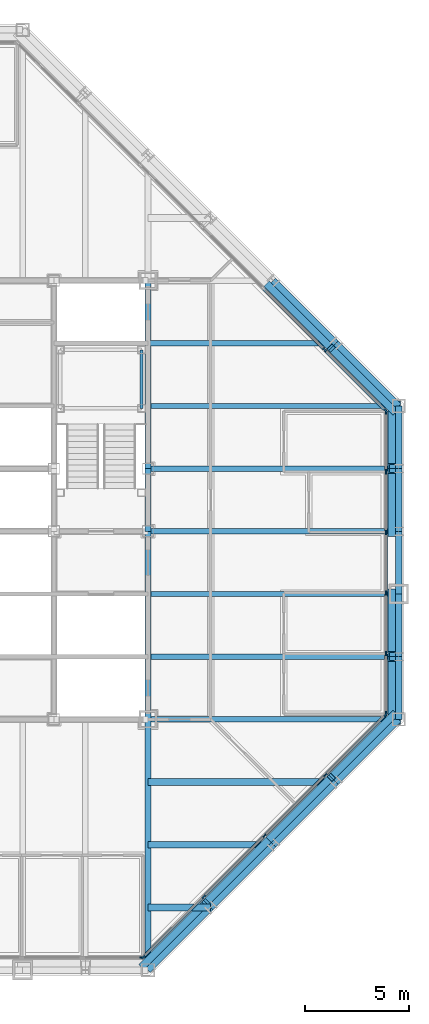
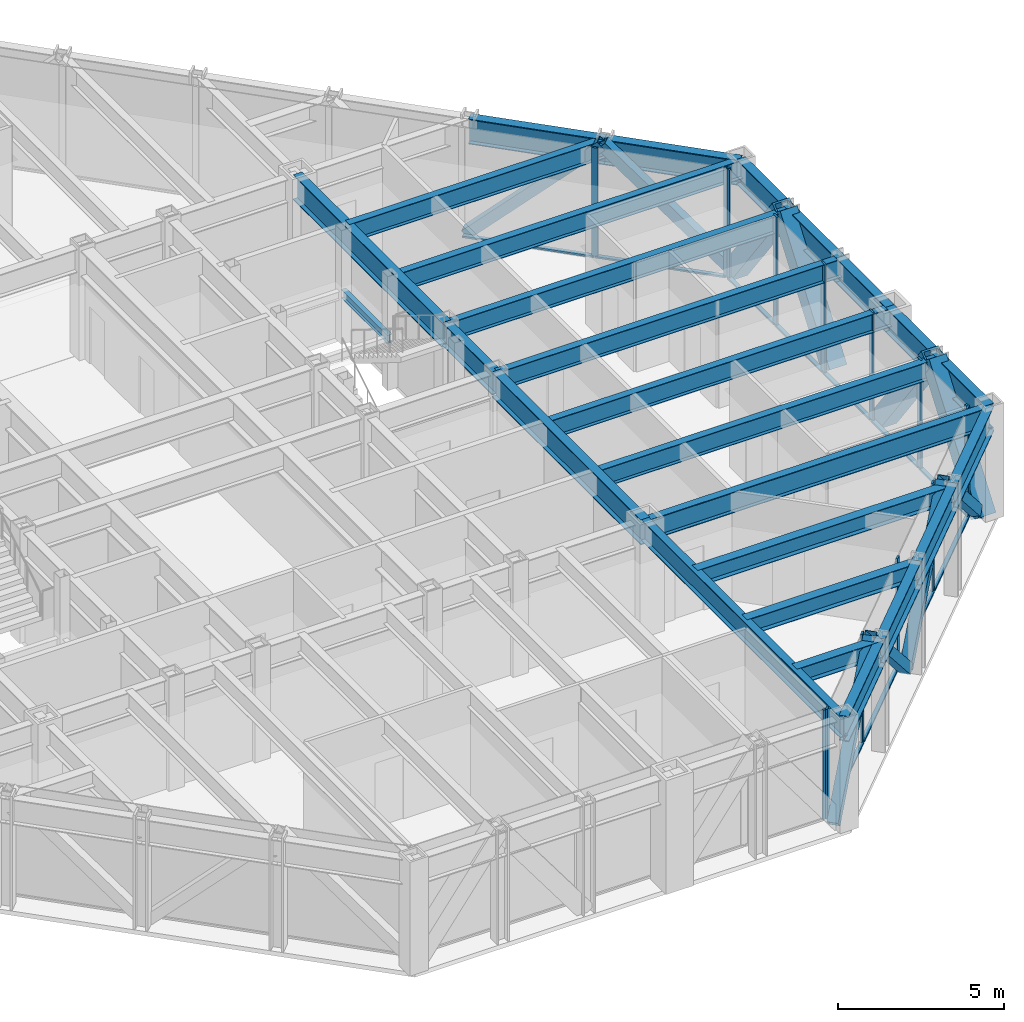
# One storey, part 7 of 16: 35 members, 26 beams, 4 elements without a shape of their own.
"""IFC4 building model written with IfcOpenShell, lengths in metres."""

from ifc_helpers import new_model, si_unit, direction, frame, origin, origin_2d, place, context, subcontext, project, spatial, rectangle, hollow_rectangle, i_section, extrude, material, layer, layer_set, material_profile, profile_set, type_object, element, aggregate, save


model = new_model("IFC4")

# Units and contexts
model_context = context("Model", 3, precision=1e-05, world=origin(), true_north=direction((0.0, 1.0)))
body_context = subcontext(model_context, "Body", "Model", "MODEL_VIEW")
ifc_project = project(units=[si_unit("LENGTHUNIT", "METRE"), si_unit("AREAUNIT", "SQUARE_METRE"), si_unit("VOLUMEUNIT", "CUBIC_METRE"), si_unit("PLANEANGLEUNIT", "RADIAN"), si_unit("MASSUNIT", "GRAM", prefix="KILO")], contexts=[model_context])

# Site, building, storey
site_placement = place(None, origin())
site = spatial("IfcSite", under=ifc_project, at=site_placement, CompositionType="ELEMENT")
building_placement = place(site_placement, origin())
building = spatial("IfcBuilding", under=site, at=building_placement, Name="Chuquiago Exchange Tower", CompositionType="ELEMENT")
storey_placement = place(building_placement, frame((0.0, 0.0, 222.300048828125)))
storey = spatial("IfcBuildingStorey", under=building, at=storey_placement, Name="L49", CompositionType="ELEMENT", Elevation=222.300048828125)

# Beams
ifc_material_1 = material(Name="Steel ASTM A992", Category="steel")
ifc_material_profile_1 = material_profile(ifc_material_1, i_section(OverallWidth=0.25390625, OverallDepth=0.683349609375, WebThickness=0.012451171875, FlangeThickness=0.018798828125, at=origin_2d()), Name="W27X94")
ifc_profile_set_1 = profile_set([ifc_material_profile_1], Name="Steel ASTM A992")
beam_type_1 = type_object("IfcBeamType", Name="B1 W27X94", PredefinedType="BEAM", material=ifc_profile_set_1)
for number, where, z_axis, x_axis, name in (
    (1, (33.0, 15.0, 3.6982421875), (1.0, 0.0, 0.0), (0.0, 1.0, 0.0), "FB-L50-infill-33_15-45_15-0"),
    (2, (33.0, 18.0, 3.6982421875), (1.0, 0.0, 0.0), (0.0, 1.0, 0.0), "FB-L50-infill-33_18-45_18-0"),
    (3, (33.0, 21.0, 3.6982421875), (1.0, 0.0, 0.0), (0.0, 1.0, 0.0), "FB-L50-infill-33_21-45_21-0"),
    (4, (33.0, 24.0, 3.6982421875), (1.0, 0.0, 0.0), (0.0, 1.0, 0.0), "FB-L50-infill-33_24-45_24-0"),
    (5, (33.0, 27.0, 3.6982421875), (1.0, 0.0, 0.0), (0.0, 1.0, 0.0), "FB-L50-infill-33_27-45_27-0"),
):
    element("IfcBeam", number, at=place(storey_placement, frame(where, z_axis=z_axis, x_axis=x_axis)), inside=storey, type_object=beam_type_1, Name=name, PredefinedType="BEAM", context=body_context, shape_type="SweptSolid", body=[
        extrude(i_section(OverallWidth=0.25390625, OverallDepth=0.683349609375, WebThickness=0.012451171875, FlangeThickness=0.018798828125, at=origin_2d()), origin(), (0.0, 0.0, 1.0), 12.0),
    ])
beam_1_placement = place(storey_placement, frame((33.0, 30.0, 3.6982421875), z_axis=(1.0, 0.0, 0.0), x_axis=(0.0, 1.0, 0.0)))
element("IfcBeam", 6, at=beam_1_placement, inside=storey, type_object=beam_type_1, Name="FB-L50-infill-33_30-42_30-0", PredefinedType="BEAM", context=body_context, shape_type="SweptSolid", body=[
    extrude(i_section(OverallWidth=0.25390625, OverallDepth=0.683349609375, WebThickness=0.012451171875, FlangeThickness=0.018798828125, at=origin_2d()), origin(), (0.0, 0.0, 1.0), 9.0),
])
ifc_material_2 = material(Name="Steel ASTM A992", Category="steel")
ifc_material_profile_2 = material_profile(ifc_material_2, i_section(OverallWidth=0.307373046875, OverallDepth=0.927001953125, WebThickness=0.01953125, FlangeThickness=0.031982421875, at=origin_2d()), Name="W36X194")
ifc_profile_set_2 = profile_set([ifc_material_profile_2], Name="Steel ASTM A992")
beam_type_2 = type_object("IfcBeamType", Name="B10 W36X194", PredefinedType="BEAM", material=ifc_profile_set_2)
for number, where, z_axis, x_axis, name in (
    (7, (33.0, 12.0, 3.576416015625), (0.0, 1.0, 0.0), (-1.0, 0.0, 0.0), "CB-L50-33_12-33_21"),
    (8, (33.0, 24.0, 3.576416015625), (0.0, 1.0, 0.0), (-1.0, 0.0, 0.0), "CB-L50-33_24-33_33"),
):
    element("IfcBeam", number, at=place(storey_placement, frame(where, z_axis=z_axis, x_axis=x_axis)), inside=storey, type_object=beam_type_2, Name=name, PredefinedType="BEAM", context=body_context, shape_type="SweptSolid", body=[
        extrude(i_section(OverallWidth=0.307373046875, OverallDepth=0.927001953125, WebThickness=0.01953125, FlangeThickness=0.031982421875, at=origin_2d()), origin(), (0.0, 0.0, 1.0), 9.0),
    ])
ifc_material_3 = material(Name="Steel ASTM A992", Category="steel")
ifc_material_profile_3 = material_profile(ifc_material_3, i_section(OverallWidth=0.3251953125, OverallDepth=0.612060546875, WebThickness=0.0126953125, FlangeThickness=0.01904296875, at=origin_2d()), Name="W24X104")
ifc_profile_set_3 = profile_set([ifc_material_profile_3], Name="Steel ASTM A992")
beam_type_3 = type_object("IfcBeamType", Name="B2 W24X104", PredefinedType="BEAM", material=ifc_profile_set_3)
beam_2_placement = place(storey_placement, frame((33.0, 3.0, 3.73388671875), z_axis=(1.0, 0.0, 0.0), x_axis=(0.0, 1.0, 0.0)))
element("IfcBeam", 9, at=beam_2_placement, inside=storey, type_object=beam_type_3, Name="FB-L50-corner-33_3-36_3-0", PredefinedType="BEAM", context=body_context, shape_type="SweptSolid", body=[
    extrude(i_section(OverallWidth=0.3251953125, OverallDepth=0.612060546875, WebThickness=0.0126953125, FlangeThickness=0.01904296875, at=origin_2d()), origin(), (0.0, 0.0, 1.0), 3.0),
])
beam_3_placement = place(storey_placement, frame((33.0, 6.0, 3.73388671875), z_axis=(1.0, 0.0, 0.0), x_axis=(0.0, 1.0, 0.0)))
element("IfcBeam", 10, at=beam_3_placement, inside=storey, type_object=beam_type_3, Name="FB-L50-corner-33_6-39_6-0", PredefinedType="BEAM", context=body_context, shape_type="SweptSolid", body=[
    extrude(i_section(OverallWidth=0.3251953125, OverallDepth=0.612060546875, WebThickness=0.0126953125, FlangeThickness=0.01904296875, at=origin_2d()), origin(), (0.0, 0.0, 1.0), 6.0),
])
beam_4_placement = place(storey_placement, frame((33.0, 9.0, 3.73388671875), z_axis=(1.0, 0.0, 0.0), x_axis=(0.0, 1.0, 0.0)))
element("IfcBeam", 11, at=beam_4_placement, inside=storey, type_object=beam_type_3, Name="FB-L50-corner-33_9-42_9-0", PredefinedType="BEAM", context=body_context, shape_type="SweptSolid", body=[
    extrude(i_section(OverallWidth=0.3251953125, OverallDepth=0.612060546875, WebThickness=0.0126953125, FlangeThickness=0.01904296875, at=origin_2d()), origin(), (0.0, 0.0, 1.0), 9.0),
])
ifc_material_4 = material(Name="Steel ASTM A992", Category="steel")
ifc_material_profile_4 = material_profile(ifc_material_4, i_section(OverallWidth=0.2919921875, OverallDepth=0.8583984375, WebThickness=0.01708984375, FlangeThickness=0.031005859375, at=origin_2d()), Name="W33X169")
ifc_profile_set_4 = profile_set([ifc_material_profile_4], Name="Steel ASTM A992")
beam_type_4 = type_object("IfcBeamType", Name="B3 W33X169", PredefinedType="BEAM", material=ifc_profile_set_4)
beam_5_placement = place(storey_placement, frame((33.0, 21.0, 3.610595703125), z_axis=(0.0, 1.0, 0.0), x_axis=(-1.0, 0.0, 0.0)))
element("IfcBeam", 12, at=beam_5_placement, inside=storey, type_object=beam_type_4, Name="CB-L50-33_21-33_24", PredefinedType="BEAM", context=body_context, shape_type="SweptSolid", body=[
    extrude(i_section(OverallWidth=0.2919921875, OverallDepth=0.8583984375, WebThickness=0.01708984375, FlangeThickness=0.031005859375, at=origin_2d()), origin(), (0.0, 0.0, 1.0), 3.0),
])

# Curtain wall, member
ifc_material_5 = material(Name="Aluminium curtain wall system", Category="aluminium")
ifc_layer_1 = layer(ifc_material_5, 0.22509765625)
ifc_layer_set_1 = layer_set([ifc_layer_1], Name="CW2 office curtain wall")
curtain_wall_type_1 = type_object("IfcCurtainWallType", Name="CW2 office curtain wall", PredefinedType="NOTDEFINED", material=ifc_layer_set_1)
curtain_wall_1_placement = place(storey_placement, origin())
curtain_wall_1 = element("IfcCurtainWall", 13, at=curtain_wall_1_placement, inside=storey, type_object=curtain_wall_type_1, Name="CW2 curtain wall L49", PredefinedType="NOTDEFINED")
ifc_material_6 = material(Name="Aluminium mullion, pale anodised", Category="aluminium")
ifc_material_profile_5 = material_profile(ifc_material_6, rectangle(XDim=0.06494140625, YDim=0.22509765625, at=origin_2d()), Name="AL 65x225")
ifc_profile_set_5 = profile_set([ifc_material_profile_5], Name="Aluminium mullion, pale anodised")
member_type_1 = type_object("IfcMemberType", Name="CW2-M mullion 65x225", PredefinedType="MULLION", material=ifc_profile_set_5)
member_1_placement = place(storey_placement, frame((32.718994140625, 0.60009765625, 0.0), z_axis=(0.0, 0.0, 1.0), x_axis=(0.0, 1.0, 0.0)))
member_1 = element("IfcMember", 14, at=member_1_placement, type_object=member_type_1, Name="CW2 mullion 6", PredefinedType="MULLION", context=body_context, shape_type="SweptSolid", body=[
    extrude(rectangle(XDim=0.06494140625, YDim=0.22509765625, at=origin_2d()), origin(), (0.0, 0.0, 1.0), 4.0400390625),
])
aggregate(curtain_wall_1, [member_1])

# Curtain wall, members
curtain_wall_2_placement = place(storey_placement, origin())
curtain_wall_2 = element("IfcCurtainWall", 15, at=curtain_wall_2_placement, inside=storey, type_object=curtain_wall_type_1, Name="CW2 curtain wall L49", PredefinedType="NOTDEFINED")
member_2_placement = place(storey_placement, frame((44.39990234375, 12.281005859375, 0.0), z_axis=(0.0, 0.0, 1.0), x_axis=(-1.0, 0.0, 0.0)))
member_2 = element("IfcMember", 16, at=member_2_placement, type_object=member_type_1, Name="CW2 mullion 1", PredefinedType="MULLION", context=body_context, shape_type="SweptSolid", body=[
    extrude(rectangle(XDim=0.06494140625, YDim=0.22509765625, at=origin_2d()), origin(), (0.0, 0.0, 1.0), 4.0400390625),
])
member_3_placement = place(storey_placement, frame((44.39990234375, 15.149169921875, 0.0), z_axis=(0.0, 0.0, 1.0), x_axis=(-1.0, 0.0, 0.0)))
member_3 = element("IfcMember", 17, at=member_3_placement, type_object=member_type_1, Name="CW2 mullion 2", PredefinedType="MULLION", context=body_context, shape_type="SweptSolid", body=[
    extrude(rectangle(XDim=0.06494140625, YDim=0.22509765625, at=origin_2d()), origin(), (0.0, 0.0, 1.0), 4.0400390625),
])
member_4_placement = place(storey_placement, frame((44.39990234375, 18.0498046875, 0.0), z_axis=(0.0, 0.0, 1.0), x_axis=(-1.0, 0.0, 0.0)))
member_4 = element("IfcMember", 18, at=member_4_placement, type_object=member_type_1, Name="CW2 mullion 3", PredefinedType="MULLION", context=body_context, shape_type="SweptSolid", body=[
    extrude(rectangle(XDim=0.06494140625, YDim=0.22509765625, at=origin_2d()), origin(), (0.0, 0.0, 1.0), 4.0400390625),
])
member_5_placement = place(storey_placement, frame((44.39990234375, 20.9501953125, 0.0), z_axis=(0.0, 0.0, 1.0), x_axis=(-1.0, 0.0, 0.0)))
member_5 = element("IfcMember", 19, at=member_5_placement, type_object=member_type_1, Name="CW2 mullion 4", PredefinedType="MULLION", context=body_context, shape_type="SweptSolid", body=[
    extrude(rectangle(XDim=0.06494140625, YDim=0.22509765625, at=origin_2d()), origin(), (0.0, 0.0, 1.0), 4.0400390625),
])
member_6_placement = place(storey_placement, frame((44.39990234375, 23.850830078125, 0.0), z_axis=(0.0, 0.0, 1.0), x_axis=(-1.0, 0.0, 0.0)))
member_6 = element("IfcMember", 20, at=member_6_placement, type_object=member_type_1, Name="CW2 mullion 5", PredefinedType="MULLION", context=body_context, shape_type="SweptSolid", body=[
    extrude(rectangle(XDim=0.06494140625, YDim=0.22509765625, at=origin_2d()), origin(), (0.0, 0.0, 1.0), 4.0400390625),
])
member_7_placement = place(storey_placement, frame((44.39990234375, 26.718994140625, 0.0), z_axis=(0.0, 0.0, 1.0), x_axis=(-1.0, 0.0, 0.0)))
member_7 = element("IfcMember", 21, at=member_7_placement, type_object=member_type_1, Name="CW2 mullion 6", PredefinedType="MULLION", context=body_context, shape_type="SweptSolid", body=[
    extrude(rectangle(XDim=0.06494140625, YDim=0.22509765625, at=origin_2d()), origin(), (0.0, 0.0, 1.0), 4.0400390625),
])
ifc_material_7 = material(Name="Aluminium transom, pale anodised", Category="aluminium")
ifc_material_profile_6 = material_profile(ifc_material_7, rectangle(XDim=0.139892578125, YDim=0.06494140625, at=origin_2d()), Name="AL 140x65")
ifc_profile_set_6 = profile_set([ifc_material_profile_6], Name="Aluminium transom, pale anodised")
member_type_2 = type_object("IfcMemberType", Name="CW2-T transom 65x140", PredefinedType="MULLION", material=ifc_profile_set_6)
member_8_placement = place(storey_placement, frame((44.39990234375, 12.3134765625, 0.032470703125), z_axis=(0.0, 1.0, 0.0), x_axis=(-1.0, 0.0, 0.0)))
member_8 = element("IfcMember", 22, at=member_8_placement, type_object=member_type_2, Name="CW2 transom 1.1", PredefinedType="MULLION", context=body_context, shape_type="SweptSolid", body=[
    extrude(rectangle(XDim=0.139892578125, YDim=0.06494140625, at=origin_2d()), origin(), (0.0, 0.0, 1.0), 2.80322265625),
])
member_9_placement = place(storey_placement, frame((44.39990234375, 15.181640625, 0.032470703125), z_axis=(0.0, 1.0, 0.0), x_axis=(-1.0, 0.0, 0.0)))
member_9 = element("IfcMember", 23, at=member_9_placement, type_object=member_type_2, Name="CW2 transom 2.1", PredefinedType="MULLION", context=body_context, shape_type="SweptSolid", body=[
    extrude(rectangle(XDim=0.139892578125, YDim=0.06494140625, at=origin_2d()), origin(), (0.0, 0.0, 1.0), 2.83544921875),
])
member_10_placement = place(storey_placement, frame((44.39990234375, 18.082275390625, 0.032470703125), z_axis=(0.0, 1.0, 0.0), x_axis=(-1.0, 0.0, 0.0)))
member_10 = element("IfcMember", 24, at=member_10_placement, type_object=member_type_2, Name="CW2 transom 3.1", PredefinedType="MULLION", context=body_context, shape_type="SweptSolid", body=[
    extrude(rectangle(XDim=0.139892578125, YDim=0.06494140625, at=origin_2d()), origin(), (0.0, 0.0, 1.0), 2.83544921875),
])
member_11_placement = place(storey_placement, frame((44.39990234375, 20.98291015625, 0.032470703125), z_axis=(0.0, 1.0, 0.0), x_axis=(-1.0, 0.0, 0.0)))
member_11 = element("IfcMember", 25, at=member_11_placement, type_object=member_type_2, Name="CW2 transom 4.1", PredefinedType="MULLION", context=body_context, shape_type="SweptSolid", body=[
    extrude(rectangle(XDim=0.139892578125, YDim=0.06494140625, at=origin_2d()), origin(), (0.0, 0.0, 1.0), 2.83544921875),
])
member_12_placement = place(storey_placement, frame((44.39990234375, 23.88330078125, 0.032470703125), z_axis=(0.0, 1.0, 0.0), x_axis=(-1.0, 0.0, 0.0)))
member_12 = element("IfcMember", 26, at=member_12_placement, type_object=member_type_2, Name="CW2 transom 5.1", PredefinedType="MULLION", context=body_context, shape_type="SweptSolid", body=[
    extrude(rectangle(XDim=0.139892578125, YDim=0.06494140625, at=origin_2d()), origin(), (0.0, 0.0, 1.0), 2.80322265625),
])
aggregate(curtain_wall_2, [member_2, member_3, member_4, member_5, member_6, member_7, member_8, member_9, member_10, member_11, member_12])

ifc_material_8 = material(Name="Aluminium curtain wall system", Category="aluminium")
ifc_layer_2 = layer(ifc_material_8, 0.199951171875)
ifc_layer_set_2 = layer_set([ifc_layer_2], Name="CW3 facet curtain wall")
curtain_wall_type_2 = type_object("IfcCurtainWallType", Name="CW3 facet curtain wall", PredefinedType="NOTDEFINED", material=ifc_layer_set_2)
curtain_wall_3_placement = place(storey_placement, origin())
curtain_wall_3 = element("IfcCurtainWall", 27, at=curtain_wall_3_placement, inside=storey, type_object=curtain_wall_type_2, Name="CW3 curtain wall L49", PredefinedType="NOTDEFINED")
ifc_material_9 = material(Name="Aluminium mullion, pale anodised", Category="aluminium")
ifc_material_profile_7 = material_profile(ifc_material_9, rectangle(XDim=0.06494140625, YDim=0.199951171875, at=origin_2d()), Name="AL 65x200")
ifc_profile_set_7 = profile_set([ifc_material_profile_7], Name="Aluminium mullion, pale anodised")
member_type_3 = type_object("IfcMemberType", Name="CW3-M mullion 65x200", PredefinedType="MULLION", material=ifc_profile_set_7)
member_13_placement = place(storey_placement, frame((32.7744140625, 0.623046875, 0.0), z_axis=(0.0, 0.0, 1.0), x_axis=(-0.707106781187, 0.707106781187, 0.0)))
member_13 = element("IfcMember", 28, at=member_13_placement, type_object=member_type_3, Name="CW3 mullion 1", PredefinedType="MULLION", context=body_context, shape_type="SweptSolid", body=[
    extrude(rectangle(XDim=0.06494140625, YDim=0.199951171875, at=origin_2d()), origin(), (0.0, 0.0, 1.0), 4.0400390625),
])
member_14_placement = place(storey_placement, frame((35.66357421875, 3.51220703125, 0.0), z_axis=(0.0, 0.0, 1.0), x_axis=(-0.707106781187, 0.707106781187, 0.0)))
member_14 = element("IfcMember", 29, at=member_14_placement, type_object=member_type_3, Name="CW3 mullion 2", PredefinedType="MULLION", context=body_context, shape_type="SweptSolid", body=[
    extrude(rectangle(XDim=0.06494140625, YDim=0.199951171875, at=origin_2d()), origin(), (0.0, 0.0, 1.0), 4.0400390625),
])
member_15_placement = place(storey_placement, frame((38.57568359375, 6.42431640625, 0.0), z_axis=(0.0, 0.0, 1.0), x_axis=(-0.707106781187, 0.707106781187, 0.0)))
member_15 = element("IfcMember", 30, at=member_15_placement, type_object=member_type_3, Name="CW3 mullion 3", PredefinedType="MULLION", context=body_context, shape_type="SweptSolid", body=[
    extrude(rectangle(XDim=0.06494140625, YDim=0.199951171875, at=origin_2d()), origin(), (0.0, 0.0, 1.0), 4.0400390625),
])
member_16_placement = place(storey_placement, frame((41.48779296875, 9.33642578125, 0.0), z_axis=(0.0, 0.0, 1.0), x_axis=(-0.707106781187, 0.707106781187, 0.0)))
member_16 = element("IfcMember", 31, at=member_16_placement, type_object=member_type_3, Name="CW3 mullion 4", PredefinedType="MULLION", context=body_context, shape_type="SweptSolid", body=[
    extrude(rectangle(XDim=0.06494140625, YDim=0.199951171875, at=origin_2d()), origin(), (0.0, 0.0, 1.0), 4.0400390625),
])
member_17_placement = place(storey_placement, frame((44.376953125, 12.2255859375, 0.0), z_axis=(0.0, 0.0, 1.0), x_axis=(-0.707106781187, 0.707106781187, 0.0)))
member_17 = element("IfcMember", 32, at=member_17_placement, type_object=member_type_3, Name="CW3 mullion 5", PredefinedType="MULLION", context=body_context, shape_type="SweptSolid", body=[
    extrude(rectangle(XDim=0.06494140625, YDim=0.199951171875, at=origin_2d()), origin(), (0.0, 0.0, 1.0), 4.0400390625),
])

curtain_wall_4_placement = place(storey_placement, origin())
curtain_wall_4 = element("IfcCurtainWall", 33, at=curtain_wall_4_placement, inside=storey, type_object=curtain_wall_type_2, Name="CW3 curtain wall L49", PredefinedType="NOTDEFINED")
member_18_placement = place(storey_placement, frame((44.376953125, 26.7744140625, 0.0), z_axis=(0.0, 0.0, 1.0), x_axis=(-0.707106781187, -0.707106781187, 0.0)))
member_18 = element("IfcMember", 34, at=member_18_placement, type_object=member_type_3, Name="CW3 mullion 1", PredefinedType="MULLION", context=body_context, shape_type="SweptSolid", body=[
    extrude(rectangle(XDim=0.06494140625, YDim=0.199951171875, at=origin_2d()), origin(), (0.0, 0.0, 1.0), 4.0400390625),
])
member_19_placement = place(storey_placement, frame((41.45849609375, 29.69287109375, 0.0), z_axis=(0.0, 0.0, 1.0), x_axis=(-0.707106781187, -0.707106781187, 0.0)))
member_19 = element("IfcMember", 35, at=member_19_placement, type_object=member_type_3, Name="CW3 mullion 2", PredefinedType="MULLION", context=body_context, shape_type="SweptSolid", body=[
    extrude(rectangle(XDim=0.06494140625, YDim=0.199951171875, at=origin_2d()), origin(), (0.0, 0.0, 1.0), 4.0400390625),
])

# Member
ifc_material_10 = material(Name="Aluminium transom, pale anodised", Category="aluminium")
ifc_material_profile_8 = material_profile(ifc_material_10, rectangle(XDim=0.139892578125, YDim=0.06494140625, at=origin_2d()), Name="AL 140x65")
ifc_profile_set_8 = profile_set([ifc_material_profile_8], Name="Aluminium transom, pale anodised")
member_type_4 = type_object("IfcMemberType", Name="CW3-T transom 65x140", PredefinedType="MULLION", material=ifc_profile_set_8)
member_20_placement = place(storey_placement, frame((32.79736328125, 0.64599609375, 0.032470703125), z_axis=(0.707106781187, 0.707106781187, 0.0), x_axis=(-0.707106781187, 0.707106781187, 0.0)))
member_20 = element("IfcMember", 36, at=member_20_placement, type_object=member_type_4, Name="CW3 transom 1.1", PredefinedType="MULLION", context=body_context, shape_type="SweptSolid", body=[
    extrude(rectangle(XDim=0.139892578125, YDim=0.06494140625, at=origin_2d()), origin(), (0.0, 0.0, 1.0), 4.02099609375),
])

member_21_placement = place(storey_placement, frame((35.6865234375, 3.53515625, 0.032470703125), z_axis=(0.707106781187, 0.707106781187, 0.0), x_axis=(-0.707106781187, 0.707106781187, 0.0)))
member_21 = element("IfcMember", 37, at=member_21_placement, type_object=member_type_4, Name="CW3 transom 2.1", PredefinedType="MULLION", context=body_context, shape_type="SweptSolid", body=[
    extrude(rectangle(XDim=0.139892578125, YDim=0.06494140625, at=origin_2d()), origin(), (0.0, 0.0, 1.0), 4.053466796875),
])

member_22_placement = place(storey_placement, frame((38.5986328125, 6.447265625, 0.032470703125), z_axis=(0.707106781187, 0.707106781187, 0.0), x_axis=(-0.707106781187, 0.707106781187, 0.0)))
member_22 = element("IfcMember", 38, at=member_22_placement, type_object=member_type_4, Name="CW3 transom 3.1", PredefinedType="MULLION", context=body_context, shape_type="SweptSolid", body=[
    extrude(rectangle(XDim=0.139892578125, YDim=0.06494140625, at=origin_2d()), origin(), (0.0, 0.0, 1.0), 4.053466796875),
])

member_23_placement = place(storey_placement, frame((41.5107421875, 9.359375, 0.032470703125), z_axis=(0.707106781187, 0.707106781187, 0.0), x_axis=(-0.707106781187, 0.707106781187, 0.0)))
member_23 = element("IfcMember", 39, at=member_23_placement, type_object=member_type_4, Name="CW3 transom 4.1", PredefinedType="MULLION", context=body_context, shape_type="SweptSolid", body=[
    extrude(rectangle(XDim=0.139892578125, YDim=0.06494140625, at=origin_2d()), origin(), (0.0, 0.0, 1.0), 4.02099609375),
])

aggregate(curtain_wall_3, [member_13, member_14, member_15, member_16, member_17, member_20, member_21, member_22, member_23])

member_24_placement = place(storey_placement, frame((44.35400390625, 26.79736328125, 0.032470703125), z_axis=(-0.707106781187, 0.707106781187, 0.0), x_axis=(-0.707106781187, -0.707106781187, 0.0)))
member_24 = element("IfcMember", 40, at=member_24_placement, type_object=member_type_4, Name="CW3 transom 1.1", PredefinedType="MULLION", context=body_context, shape_type="SweptSolid", body=[
    extrude(rectangle(XDim=0.139892578125, YDim=0.06494140625, at=origin_2d()), origin(), (0.0, 0.0, 1.0), 4.0625),
])

member_25_placement = place(storey_placement, frame((41.435546875, 29.7158203125, 0.032470703125), z_axis=(-0.707106781187, 0.707106781187, 0.0), x_axis=(-0.707106781187, -0.707106781187, 0.0)))
member_25 = element("IfcMember", 41, at=member_25_placement, type_object=member_type_4, Name="CW3 transom 2.1", PredefinedType="MULLION", context=body_context, shape_type="SweptSolid", body=[
    extrude(rectangle(XDim=0.139892578125, YDim=0.06494140625, at=origin_2d()), origin(), (0.0, 0.0, 1.0), 4.094970703125),
])

aggregate(curtain_wall_4, [member_18, member_19, member_24, member_25])

# Beams
ifc_material_11 = material(Name="Steel ASTM A992", Category="steel")
ifc_material_profile_9 = material_profile(ifc_material_11, i_section(OverallWidth=0.2666015625, OverallDepth=0.76953125, WebThickness=0.015625, FlangeThickness=0.025390625, at=origin_2d()), Name="W30X132")
ifc_profile_set_9 = profile_set([ifc_material_profile_9], Name="Steel ASTM A992")
beam_type_5 = type_object("IfcBeamType", Name="G1 W30X132", PredefinedType="BEAM", material=ifc_profile_set_9)
for number, where, z_axis, x_axis, name in (
    (42, (33.0, 12.0, 3.655029296875), (0.0, -1.0, 0.0), (1.0, 0.0, 0.0), "FB-L50-girder-33_12-33_-0-0"),
    (43, (33.0, 12.0, 3.655029296875), (1.0, 0.0, 0.0), (0.0, 1.0, 0.0), "FB-L50-girder-33_12-45_12-0"),
):
    element("IfcBeam", number, at=place(storey_placement, frame(where, z_axis=z_axis, x_axis=x_axis)), inside=storey, type_object=beam_type_5, Name=name, PredefinedType="BEAM", context=body_context, shape_type="SweptSolid", body=[
        extrude(i_section(OverallWidth=0.2666015625, OverallDepth=0.76953125, WebThickness=0.015625, FlangeThickness=0.025390625, at=origin_2d()), origin(), (0.0, 0.0, 1.0), 12.0),
    ])

# Members
ifc_material_12 = material(Name="Steel ASTM A500 Grade C", Category="steel")
ifc_material_profile_10 = material_profile(ifc_material_12, hollow_rectangle(XDim=0.355712890625, YDim=0.355712890625, WallThickness=0.0146484375, at=origin_2d()), Name="HSS14X14X5/8")
ifc_profile_set_10 = profile_set([ifc_material_profile_10], Name="Steel ASTM A500 Grade C")
member_type_5 = type_object("IfcMemberType", Name="LB2 HSS14X14X5/8", PredefinedType="BRACE", material=ifc_profile_set_10)
for number, where, z_axis, x_axis, name in (
    (44, (32.7685546875, 0.2314453125, 0.0), (0.512077265487, 0.512077265487, 0.689604051861), (-0.707106781187, 0.707106781187, 0.0), "LB-L49-33_0-36_3"),
    (45, (38.7685546875, 6.2314453125, 0.0), (-0.512077265487, -0.512077265487, 0.689604051861), (0.707106781187, -0.707106781187, 0.0), "LB-L49-36_3-39_6"),
    (46, (38.7685546875, 6.2314453125, 0.0), (0.512077265487, 0.512077265487, 0.689604051861), (-0.707106781187, 0.707106781187, 0.0), "LB-L49-39_6-42_9"),
    (47, (44.7685546875, 12.2314453125, 0.0), (-0.512077265487, -0.512077265487, 0.689604051861), (0.707106781187, -0.707106781187, 0.0), "LB-L49-42_9-45_12"),
    (48, (44.7685546875, 26.7685546875, 0.0), (-0.512077265487, 0.512077265487, 0.689604051861), (-0.707106781187, -0.707106781187, 0.0), "LB-L49-45_27-42_30"),
    (49, (38.7685546875, 32.7685546875, 0.0), (0.512077265487, -0.512077265487, 0.689604051861), (0.707106781187, 0.707106781187, 0.0), "LB-L49-42_30-39_33"),
):
    element("IfcMember", number, at=place(storey_placement, frame(where, z_axis=z_axis, x_axis=x_axis)), inside=storey, type_object=member_type_5, Name=name, PredefinedType="BRACE", context=body_context, shape_type="SweptSolid", body=[
        extrude(hollow_rectangle(XDim=0.355712890625, YDim=0.355712890625, WallThickness=0.0146484375, at=origin_2d()), origin(), (0.0, 0.0, 1.0), 5.8583984375),
    ])

# Beam
ifc_material_13 = material(Name="Steel ASTM A992", Category="steel")
ifc_material_profile_11 = material_profile(ifc_material_13, i_section(OverallWidth=0.164794921875, OverallDepth=0.309814453125, WebThickness=0.005859375, FlangeThickness=0.009765625, at=origin_2d()), Name="W12X26")
ifc_profile_set_11 = profile_set([ifc_material_profile_11], Name="Steel ASTM A992")
beam_type_6 = type_object("IfcBeamType", Name="LS1 W12X26", PredefinedType="BEAM", material=ifc_profile_set_11)
beam_6_placement = place(storey_placement, frame((32.68994140625, 26.889892578125, 1.7451171875), z_axis=(0.0, 1.0, 0.0), x_axis=(-1.0, 0.0, 0.0)))
element("IfcBeam", 50, at=beam_6_placement, inside=storey, type_object=beam_type_6, Name="Stair ST2 L49 landing 1 stringer", PredefinedType="BEAM", context=body_context, shape_type="SweptSolid", body=[
    extrude(i_section(OverallWidth=0.164794921875, OverallDepth=0.309814453125, WebThickness=0.005859375, FlangeThickness=0.009765625, at=origin_2d()), origin(), (0.0, 0.0, 1.0), 2.800048828125),
])

# Members
ifc_material_14 = material(Name="Steel ASTM A572 Grade 50", Category="steel")
ifc_material_profile_12 = material_profile(ifc_material_14, hollow_rectangle(XDim=0.60009765625, YDim=0.60009765625, WallThickness=0.06005859375, at=origin_2d()), Name="BOX600X600X60")
ifc_profile_set_12 = profile_set([ifc_material_profile_12], Name="Steel ASTM A572 Grade 50")
member_type_6 = type_object("IfcMemberType", Name="MB3 BOX600X600X60", PredefinedType="BRACE", material=ifc_profile_set_12)
for number, where, z_axis, x_axis, name in (
    (51, (44.794921875, 12.0, 0.0), (0.0, 0.596173923302, 0.802855312728), (-1.0, 0.0, 0.0), "Mega diagonal L49 E face"),
    (52, (44.794921875, 18.0, 0.0), (0.0, -0.596173923302, 0.802855312728), (1.0, 0.0, 0.0), "Mega diagonal L49 E face"),
    (53, (44.794921875, 21.0, 0.0), (0.0, 0.596173923302, 0.802855312728), (-1.0, 0.0, 0.0), "Mega diagonal L49 E face"),
    (54, (44.794921875, 27.0, 0.0), (0.0, -0.596173923302, 0.802855312728), (1.0, 0.0, 0.0), "Mega diagonal L49 E face"),
):
    element("IfcMember", number, at=place(storey_placement, frame(where, z_axis=z_axis, x_axis=x_axis)), inside=storey, type_object=member_type_6, Name=name, PredefinedType="BRACE", context=body_context, shape_type="SweptSolid", body=[
        extrude(hollow_rectangle(XDim=0.60009765625, YDim=0.60009765625, WallThickness=0.06005859375, at=origin_2d()), origin(), (0.0, 0.0, 1.0), 5.031982421875),
    ])

# Beams
ifc_material_15 = material(Name="Steel ASTM A992", Category="steel")
ifc_material_profile_13 = material_profile(ifc_material_15, i_section(OverallWidth=0.307373046875, OverallDepth=0.927001953125, WebThickness=0.01953125, FlangeThickness=0.031982421875, at=origin_2d()), Name="W36X194")
ifc_profile_set_13 = profile_set([ifc_material_profile_13], Name="Steel ASTM A992")
beam_type_7 = type_object("IfcBeamType", Name="SP3 W36X194", PredefinedType="SPANDREL", material=ifc_profile_set_13)
for number, where, z_axis, x_axis, name in (
    (55, (33.0, 0.0, 3.576416015625), (0.707106781187, 0.707106781187, 0.0), (-0.707106781187, 0.707106781187, 0.0), "SPB-L50-33_0-36_3"),
    (56, (36.0, 3.0, 3.576416015625), (0.707106781187, 0.707106781187, 0.0), (-0.707106781187, 0.707106781187, 0.0), "SPB-L50-36_3-39_6"),
    (57, (39.0, 6.0, 3.576416015625), (0.707106781187, 0.707106781187, 0.0), (-0.707106781187, 0.707106781187, 0.0), "SPB-L50-39_6-42_9"),
    (58, (42.0, 9.0, 3.576416015625), (0.707106781187, 0.707106781187, 0.0), (-0.707106781187, 0.707106781187, 0.0), "SPB-L50-42_9-45_12"),
):
    element("IfcBeam", number, at=place(storey_placement, frame(where, z_axis=z_axis, x_axis=x_axis)), inside=storey, type_object=beam_type_7, Name=name, PredefinedType="SPANDREL", context=body_context, shape_type="SweptSolid", body=[
        extrude(i_section(OverallWidth=0.307373046875, OverallDepth=0.927001953125, WebThickness=0.01953125, FlangeThickness=0.031982421875, at=origin_2d()), origin(), (0.0, 0.0, 1.0), 4.24267578125),
    ])
for number, where, z_axis, x_axis, name in (
    (59, (45.0, 12.0, 3.576416015625), (0.0, 1.0, 0.0), (-1.0, 0.0, 0.0), "SPB-L50-45_12-45_15"),
    (60, (45.0, 15.0, 3.576416015625), (0.0, 1.0, 0.0), (-1.0, 0.0, 0.0), "SPB-L50-45_15-45_18"),
    (61, (45.0, 18.0, 3.576416015625), (0.0, 1.0, 0.0), (-1.0, 0.0, 0.0), "SPB-L50-45_18-45_21"),
    (62, (45.0, 21.0, 3.576416015625), (0.0, 1.0, 0.0), (-1.0, 0.0, 0.0), "SPB-L50-45_21-45_24"),
    (63, (45.0, 24.0, 3.576416015625), (0.0, 1.0, 0.0), (-1.0, 0.0, 0.0), "SPB-L50-45_24-45_27"),
):
    element("IfcBeam", number, at=place(storey_placement, frame(where, z_axis=z_axis, x_axis=x_axis)), inside=storey, type_object=beam_type_7, Name=name, PredefinedType="SPANDREL", context=body_context, shape_type="SweptSolid", body=[
        extrude(i_section(OverallWidth=0.307373046875, OverallDepth=0.927001953125, WebThickness=0.01953125, FlangeThickness=0.031982421875, at=origin_2d()), origin(), (0.0, 0.0, 1.0), 3.0),
    ])
for number, where, z_axis, x_axis, name in (
    (64, (45.0, 27.0, 3.576416015625), (-0.707106781187, 0.707106781187, 0.0), (-0.707106781187, -0.707106781187, 0.0), "SPB-L50-45_27-42_30"),
    (65, (42.0, 30.0, 3.576416015625), (-0.707106781187, 0.707106781187, 0.0), (-0.707106781187, -0.707106781187, 0.0), "SPB-L50-42_30-39_33"),
):
    element("IfcBeam", number, at=place(storey_placement, frame(where, z_axis=z_axis, x_axis=x_axis)), inside=storey, type_object=beam_type_7, Name=name, PredefinedType="SPANDREL", context=body_context, shape_type="SweptSolid", body=[
        extrude(i_section(OverallWidth=0.307373046875, OverallDepth=0.927001953125, WebThickness=0.01953125, FlangeThickness=0.031982421875, at=origin_2d()), origin(), (0.0, 0.0, 1.0), 4.24267578125),
    ])

save(model, "model.ifc")
